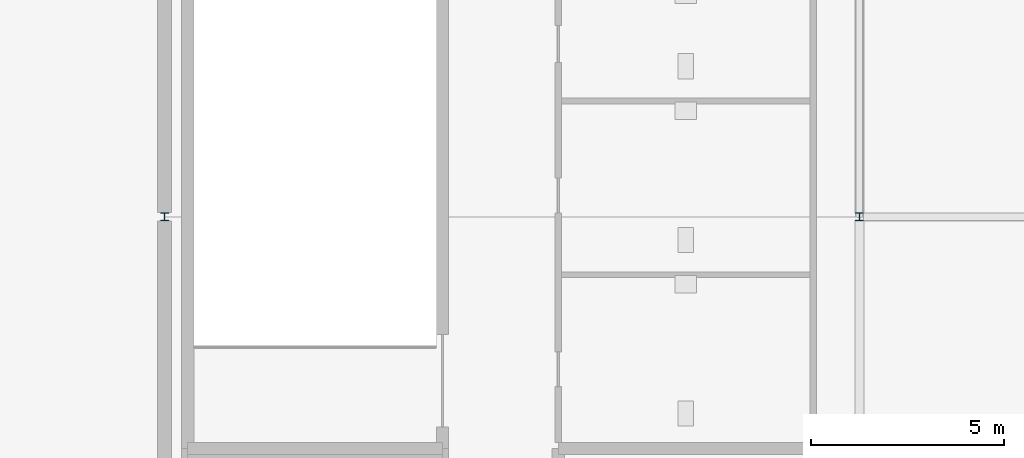
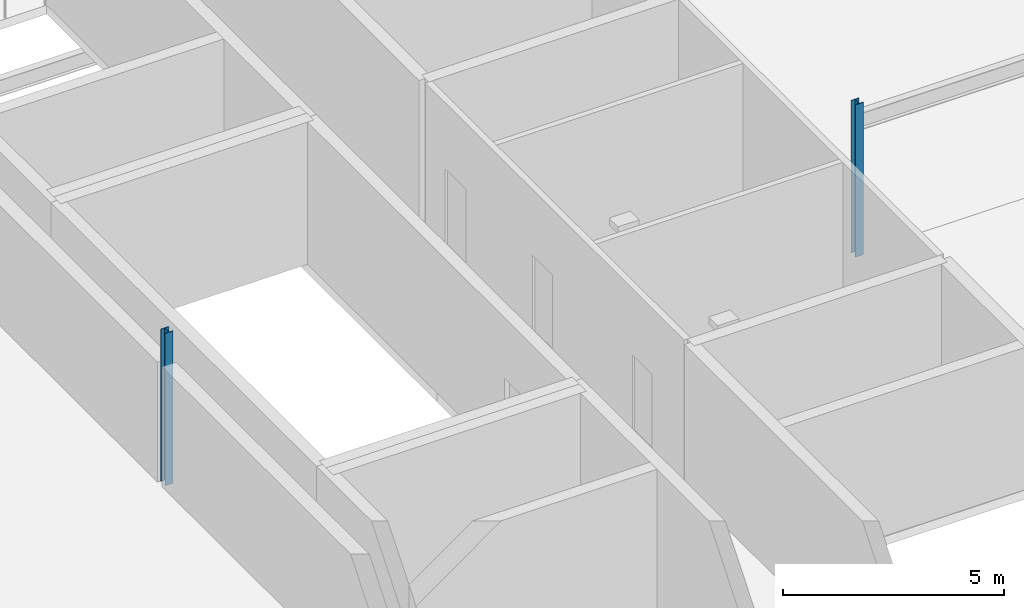
# One storey, part 7 of 23: 2 columns.
"""IFC4 building model written with IfcOpenShell, lengths in metres."""

from ifc_helpers import new_model, si_unit, direction, frame, origin, origin_2d, place, context, subcontext, project, spatial, i_section, extrude, material, material_profile, profile_set, type_object, element, save


model = new_model("IFC4")

# Units and contexts
model_context = context("Model", 3, precision=1e-05, world=origin(), true_north=direction((0.0, 1.0)))
body_context = subcontext(model_context, "Body", "Model", "MODEL_VIEW")
ifc_project = project(units=[si_unit("LENGTHUNIT", "METRE"), si_unit("AREAUNIT", "SQUARE_METRE"), si_unit("VOLUMEUNIT", "CUBIC_METRE"), si_unit("PLANEANGLEUNIT", "RADIAN"), si_unit("MASSUNIT", "GRAM", prefix="KILO")], contexts=[model_context])

# Site, building, storey
site_placement = place(None, origin())
site = spatial("IfcSite", under=ifc_project, at=site_placement, CompositionType="ELEMENT")
building_placement = place(site_placement, origin())
building = spatial("IfcBuilding", under=site, at=building_placement, Name="Kisiwana Market Hall", CompositionType="ELEMENT")
storey_placement = place(building_placement, frame((0.0, 0.0, 65.699951171875)))
storey = spatial("IfcBuildingStorey", under=building, at=storey_placement, Name="L15", CompositionType="ELEMENT", Elevation=65.699951171875)

# Columns
ifc_material = material(Name="Steel S355", Category="steel")
ifc_material_profile = material_profile(ifc_material, i_section(OverallWidth=0.205810546875, OverallDepth=0.209716796875, WebThickness=0.009521484375, FlangeThickness=0.01416015625, FilletRadius=0.01025390625, at=origin_2d()), Name="UC 203x203x60")
ifc_profile_set = profile_set([ifc_material_profile], Name="Steel S355")
column_type = type_object("IfcColumnType", Name="COL-STL-UC060", PredefinedType="COLUMN", material=ifc_profile_set)
for number, where, z_axis, x_axis, name in (
    (1, (171.0, 60.0, 0.0), (0.0, 0.0, 1.0), (1.0, 0.0, 0.0), "Column H/20 (L15) C-1496"),
    (2, (189.0, 60.0, 0.0), (0.0, 0.0, 1.0), (1.0, 0.0, 0.0), "Column H/22 (L15) C-1479"),
):
    element("IfcColumn", number, at=place(storey_placement, frame(where, z_axis=z_axis, x_axis=x_axis)), inside=storey, type_object=column_type, Name=name, PredefinedType="COLUMN", context=body_context, shape_type="SweptSolid", body=[
        extrude(i_section(OverallWidth=0.205810546875, OverallDepth=0.209716796875, WebThickness=0.009521484375, FlangeThickness=0.01416015625, FilletRadius=0.01025390625, at=origin_2d()), origin(), (0.0, 0.0, 1.0), 4.199951171875),
    ])

save(model, "model.ifc")
